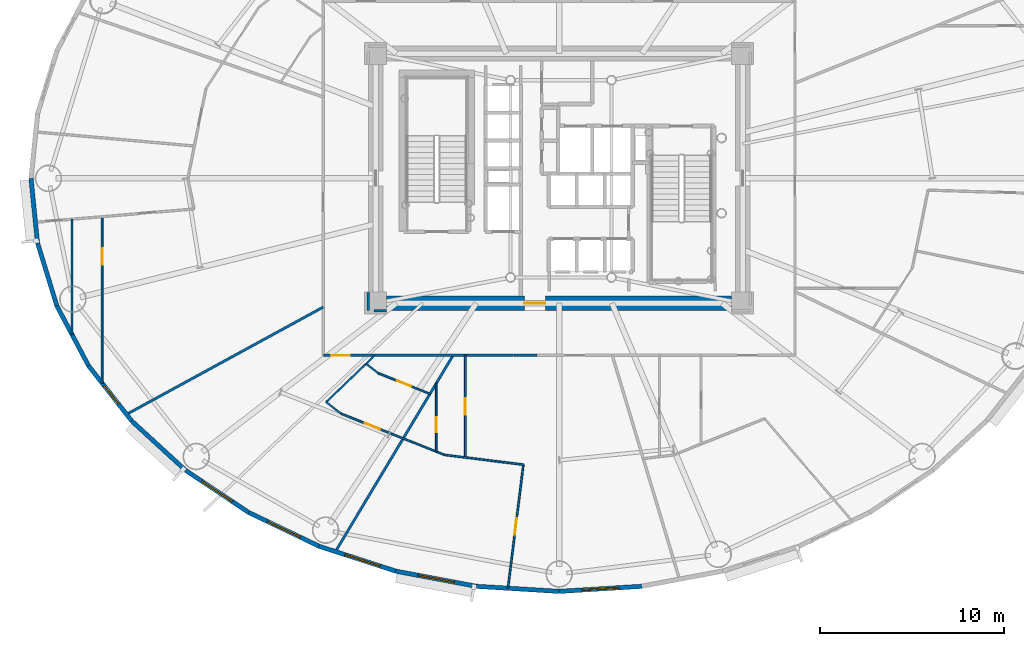
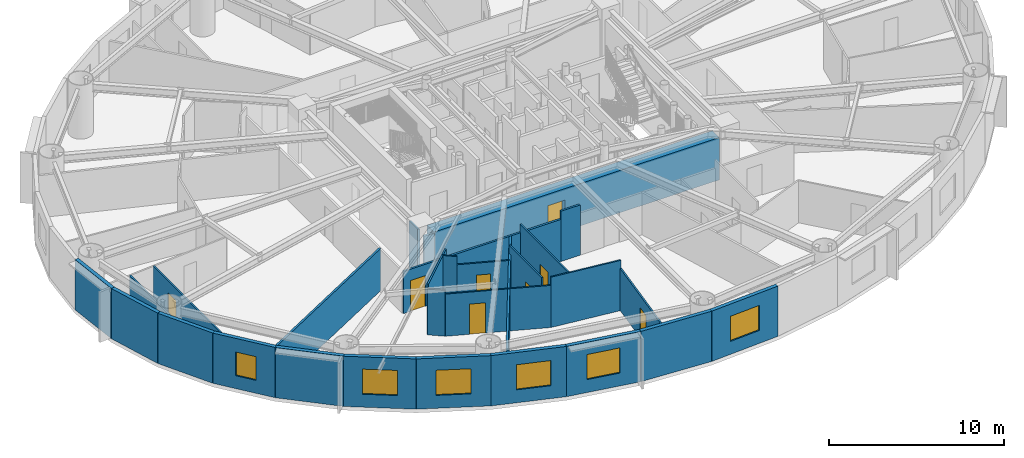
# One storey, part 9 of 21: 29 walls, 8 doors, 6 windows, 14 openings.
"""IFC4 building model written with IfcOpenShell, lengths in metres."""

from ifc_helpers import new_model, si_unit, direction, frame, frame_2d, origin, origin_2d, place, context, subcontext, project, spatial, rectangle, extrude, source, transform, mapped, material, layer, layer_set, type_object, element, fill, save


model = new_model("IFC4")

# Units and contexts
model_context = context("Model", 3, precision=1e-05, world=origin(), true_north=direction((0.0, 1.0)))
body_context = subcontext(model_context, "Body", "Model", "MODEL_VIEW")
ifc_project = project(units=[si_unit("LENGTHUNIT", "METRE"), si_unit("AREAUNIT", "SQUARE_METRE"), si_unit("VOLUMEUNIT", "CUBIC_METRE"), si_unit("PLANEANGLEUNIT", "RADIAN"), si_unit("MASSUNIT", "GRAM", prefix="KILO")], contexts=[model_context])

# Site, building, storey
site_placement = place(None, origin())
site = spatial("IfcSite", under=ifc_project, at=site_placement, CompositionType="ELEMENT")
building_placement = place(site_placement, origin())
building = spatial("IfcBuilding", under=site, at=building_placement, Name="Linh Dai School and Residence Tower", CompositionType="ELEMENT")
storey_placement = place(building_placement, frame((0.0, 0.0, 97.199951171875)))
storey = spatial("IfcBuildingStorey", under=building, at=storey_placement, Name="L22", CompositionType="ELEMENT", Elevation=97.199951171875)

# Walls
ifc_material_1 = material(Name="Precast Concrete B45 (C35/45)", Category="concrete")
ifc_layer_1 = layer(ifc_material_1, 0.239990234375)
ifc_layer_set_1 = layer_set([ifc_layer_1], Name="Precast Concrete B45 (C35/45)")
wall_type_1 = type_object("IfcWallType", Name="EW-TC-240", PredefinedType="SOLIDWALL", material=ifc_layer_set_1)
wall_1_placement = place(storey_placement, frame((7.578369140625, 23.484619140625, 0.0), z_axis=(0.0, 0.0, 1.0), x_axis=(-0.099989468229, 0.994988495533, 0.0)))
element("IfcWall", 1, at=wall_1_placement, inside=storey, type_object=wall_type_1, Name="L22 Terracotta Exterior Wall 21", PredefinedType="SOLIDWALL", context=body_context, shape_type="SweptSolid", body=[
    extrude(rectangle(XDim=3.533203125, YDim=0.239990234375, at=frame_2d((1.7666015625, 0.0))), origin(), (0.0, 0.0, 1.0), 3.5),
])
wall_2_placement = place(storey_placement, frame((8.6298828125, 20.054931640625, 0.0), z_axis=(0.0, 0.0, 1.0), x_axis=(-0.293124431344, 0.956074300329, 0.0)))
element("IfcWall", 2, at=wall_2_placement, inside=storey, type_object=wall_type_1, Name="L22 Terracotta Exterior Wall 22", PredefinedType="SOLIDWALL", context=body_context, shape_type="SweptSolid", body=[
    extrude(rectangle(XDim=3.587158203125, YDim=0.239990234375, at=frame_2d((1.79345703125, 0.0))), origin(), (0.0, 0.0, 1.0), 3.5),
])
wall_3_placement = place(storey_placement, frame((10.354736328125, 16.79443359375, 0.0), z_axis=(0.0, 0.0, 1.0), x_axis=(-0.467614004126, 0.883932770716, 0.0)))
element("IfcWall", 3, at=wall_3_placement, inside=storey, type_object=wall_type_1, Name="L22 Terracotta Exterior Wall 23", PredefinedType="SOLIDWALL", context=body_context, shape_type="SweptSolid", body=[
    extrude(rectangle(XDim=3.688720703125, YDim=0.239990234375, at=frame_2d((1.84423828125, 0.0))), origin(), (0.0, 0.0, 1.0), 3.5),
])

# Wall, opening, window
wall_4_placement = place(storey_placement, frame((12.7109375, 13.783447265625, 0.0), z_axis=(0.0, 0.0, 1.0), x_axis=(-0.616272103517, 0.787533297345, 0.0)))
wall_4 = element("IfcWall", 4, at=wall_4_placement, inside=storey, type_object=wall_type_1, Name="L22 Terracotta Exterior Wall 24", PredefinedType="SOLIDWALL", context=body_context, shape_type="SweptSolid", body=[
    extrude(rectangle(XDim=3.8232421875, YDim=0.239990234375, at=frame_2d((1.91162109375, 0.0))), origin(), (0.0, 0.0, 1.0), 3.5),
])
opening_1_placement = place(wall_4_placement, frame((1.168212890625, 0.0, 0.89990234375)))
opening_1 = element("IfcOpeningElement", 5, at=opening_1_placement, cuts=wall_4, Name="Opening W3", PredefinedType="OPENING", context=body_context, shape_type="SweptSolid", body=[
    extrude(rectangle(XDim=1.25, YDim=1.64990234375, at=origin_2d()), frame((0.625, 0.1298828125, 0.824951171875), z_axis=(0.0, -1.0, 0.0), x_axis=(1.0, 0.0, 0.0)), (0.0, 0.0, 1.0), 0.260009765625),
])
ifc_material_2 = material(Name="Double Low-E Insulated Glazing", Category="glass")
window_type_1 = type_object("IfcWindowType", Name="WN-RES-1250x1650", PartitioningType="SINGLE_PANEL", PredefinedType="WINDOW", material=ifc_material_2)
shared_shape_1 = source(origin(), body_context, "Body", "SweptSolid", [
    extrude(rectangle(XDim=1.25, YDim=1.64990234375, at=origin_2d()), frame((0.625, 0.030029296875, 0.824951171875), z_axis=(0.0, -1.0, 0.0), x_axis=(1.0, 0.0, 0.0)), (0.0, 0.0, 1.0), 0.06005859375),
])
window_1_placement = place(opening_1_placement, origin())
window_1 = element("IfcWindow", 6, at=window_1_placement, inside=storey, type_object=window_type_1, Name="L22 Exterior Window 24.1", OverallHeight=1.64990234375, OverallWidth=1.25, PartitioningType="SINGLE_PANEL", PredefinedType="WINDOW", context=body_context, shape_type="MappedRepresentation", body=[
    mapped(shared_shape_1, transform((0.0, 0.0, 0.0), x_axis=(1.0, 0.0, 0.0), y_axis=(0.0, 1.0, 0.0), z_axis=(0.0, 0.0, 1.0), scale=1.0)),
])
fill(opening_1, window_1)

# Wall
wall_5_placement = place(storey_placement, frame((15.6416015625, 11.0966796875, 0.0), z_axis=(0.0, 0.0, 1.0), x_axis=(-0.737113356241, 0.675769117414, 0.0)))
element("IfcWall", 7, at=wall_5_placement, inside=storey, type_object=wall_type_1, Name="L22 Terracotta Exterior Wall 25", PredefinedType="SOLIDWALL", context=body_context, shape_type="SweptSolid", body=[
    extrude(rectangle(XDim=3.975830078125, YDim=0.239990234375, at=frame_2d((1.98779296875, 0.0))), origin(), (0.0, 0.0, 1.0), 3.5),
])

# Wall, opening, window
wall_6_placement = place(storey_placement, frame((19.07470703125, 8.800537109375, 0.0), z_axis=(0.0, 0.0, 1.0), x_axis=(-0.831221811447, 0.555940914284, 0.0)))
wall_6 = element("IfcWall", 8, at=wall_6_placement, inside=storey, type_object=wall_type_1, Name="L22 Terracotta Exterior Wall 26", PredefinedType="SOLIDWALL", context=body_context, shape_type="SweptSolid", body=[
    extrude(rectangle(XDim=4.130126953125, YDim=0.239990234375, at=frame_2d((2.06494140625, 0.0))), origin(), (0.0, 0.0, 1.0), 3.5),
])
opening_2_placement = place(wall_6_placement, frame((1.06494140625, 0.0, 0.89990234375)))
opening_2 = element("IfcOpeningElement", 9, at=opening_2_placement, cuts=wall_6, Name="Opening W1", PredefinedType="OPENING", context=body_context, shape_type="SweptSolid", body=[
    extrude(rectangle(XDim=2.0, YDim=1.75, at=origin_2d()), frame((1.0, 0.1298828125, 0.875), z_axis=(0.0, -1.0, 0.0), x_axis=(1.0, 0.0, 0.0)), (0.0, 0.0, 1.0), 0.260009765625),
])
window_type_2 = type_object("IfcWindowType", Name="WN-RES-2000x1750", PartitioningType="DOUBLE_PANEL_VERTICAL", PredefinedType="WINDOW", material=ifc_material_2)
shared_shape_2 = source(origin(), body_context, "Body", "SweptSolid", [
    extrude(rectangle(XDim=2.0, YDim=1.75, at=origin_2d()), frame((1.0, 0.030029296875, 0.875), z_axis=(0.0, -1.0, 0.0), x_axis=(1.0, 0.0, 0.0)), (0.0, 0.0, 1.0), 0.06005859375),
])
window_2_placement = place(opening_2_placement, origin())
window_2 = element("IfcWindow", 10, at=window_2_placement, inside=storey, type_object=window_type_2, Name="L22 Exterior Window 26.1", OverallHeight=1.75, OverallWidth=2.0, PartitioningType="DOUBLE_PANEL_VERTICAL", PredefinedType="WINDOW", context=body_context, shape_type="MappedRepresentation", body=[
    mapped(shared_shape_2, transform((0.0, 0.0, 0.0), x_axis=(1.0, 0.0, 0.0), y_axis=(0.0, 1.0, 0.0), z_axis=(0.0, 0.0, 1.0), scale=1.0)),
])
fill(opening_2, window_2)

wall_7_placement = place(storey_placement, frame((22.926025390625, 6.95263671875, 0.0), z_axis=(0.0, 0.0, 1.0), x_axis=(-0.901589935876, 0.432591709962, 0.0)))
wall_7 = element("IfcWall", 11, at=wall_7_placement, inside=storey, type_object=wall_type_1, Name="L22 Terracotta Exterior Wall 27", PredefinedType="SOLIDWALL", context=body_context, shape_type="SweptSolid", body=[
    extrude(rectangle(XDim=4.271728515625, YDim=0.239990234375, at=frame_2d((2.1357421875, 0.0))), origin(), (0.0, 0.0, 1.0), 3.5),
])
opening_3_placement = place(wall_7_placement, frame((1.1357421875, 0.0, 0.89990234375)))
opening_3 = element("IfcOpeningElement", 12, at=opening_3_placement, cuts=wall_7, Name="Opening W1", PredefinedType="OPENING", context=body_context, shape_type="SweptSolid", body=[
    extrude(rectangle(XDim=2.0, YDim=1.75, at=origin_2d()), frame((1.0, 0.1298828125, 0.875), z_axis=(0.0, -1.0, 0.0), x_axis=(1.0, 0.0, 0.0)), (0.0, 0.0, 1.0), 0.260009765625),
])
window_3_placement = place(opening_3_placement, origin())
window_3 = element("IfcWindow", 13, at=window_3_placement, inside=storey, type_object=window_type_2, Name="L22 Exterior Window 27.1", OverallHeight=1.75, OverallWidth=2.0, PartitioningType="DOUBLE_PANEL_VERTICAL", PredefinedType="WINDOW", context=body_context, shape_type="MappedRepresentation", body=[
    mapped(shared_shape_2, transform((0.0, 0.0, 0.0), x_axis=(1.0, 0.0, 0.0), y_axis=(0.0, 1.0, 0.0), z_axis=(0.0, 0.0, 1.0), scale=1.0)),
])
fill(opening_3, window_3)

wall_8_placement = place(storey_placement, frame((27.100341796875, 5.5986328125, 0.0), z_axis=(0.0, 0.0, 1.0), x_axis=(-0.951211346073, 0.308540070495, 0.0)))
wall_8 = element("IfcWall", 14, at=wall_8_placement, inside=storey, type_object=wall_type_1, Name="L22 Terracotta Exterior Wall 28", PredefinedType="SOLIDWALL", context=body_context, shape_type="SweptSolid", body=[
    extrude(rectangle(XDim=4.388427734375, YDim=0.239990234375, at=frame_2d((2.1943359375, 0.0))), origin(), (0.0, 0.0, 1.0), 3.5),
])
opening_4_placement = place(wall_8_placement, frame((0.908935546875, 0.0, 0.89990234375)))
opening_4 = element("IfcOpeningElement", 15, at=opening_4_placement, cuts=wall_8, Name="Opening W1", PredefinedType="OPENING", context=body_context, shape_type="SweptSolid", body=[
    extrude(rectangle(XDim=2.0, YDim=1.75, at=origin_2d()), frame((1.0, 0.1298828125, 0.875), z_axis=(0.0, -1.0, 0.0), x_axis=(1.0, 0.0, 0.0)), (0.0, 0.0, 1.0), 0.260009765625),
])
window_4_placement = place(opening_4_placement, origin())
window_4 = element("IfcWindow", 16, at=window_4_placement, inside=storey, type_object=window_type_2, Name="L22 Exterior Window 28.1", OverallHeight=1.75, OverallWidth=2.0, PartitioningType="DOUBLE_PANEL_VERTICAL", PredefinedType="WINDOW", context=body_context, shape_type="MappedRepresentation", body=[
    mapped(shared_shape_2, transform((0.0, 0.0, 0.0), x_axis=(1.0, 0.0, 0.0), y_axis=(0.0, 1.0, 0.0), z_axis=(0.0, 0.0, 1.0), scale=1.0)),
])
fill(opening_4, window_4)

wall_9_placement = place(storey_placement, frame((31.494384765625, 4.772705078125, 0.0), z_axis=(0.0, 0.0, 1.0), x_axis=(-0.982789252177, 0.184730305596, 0.0)))
wall_9 = element("IfcWall", 17, at=wall_9_placement, inside=storey, type_object=wall_type_1, Name="L22 Terracotta Exterior Wall 29", PredefinedType="SOLIDWALL", context=body_context, shape_type="SweptSolid", body=[
    extrude(rectangle(XDim=4.470947265625, YDim=0.239990234375, at=frame_2d((2.2353515625, 0.0))), origin(), (0.0, 0.0, 1.0), 3.5),
])
opening_5_placement = place(wall_9_placement, frame((1.235595703125, 0.0, 0.89990234375)))
opening_5 = element("IfcOpeningElement", 18, at=opening_5_placement, cuts=wall_9, Name="Opening W1", PredefinedType="OPENING", context=body_context, shape_type="SweptSolid", body=[
    extrude(rectangle(XDim=2.0, YDim=1.75, at=origin_2d()), frame((1.0, 0.1298828125, 0.875), z_axis=(0.0, -1.0, 0.0), x_axis=(1.0, 0.0, 0.0)), (0.0, 0.0, 1.0), 0.260009765625),
])
window_5_placement = place(opening_5_placement, origin())
window_5 = element("IfcWindow", 19, at=window_5_placement, inside=storey, type_object=window_type_2, Name="L22 Exterior Window 29.1", OverallHeight=1.75, OverallWidth=2.0, PartitioningType="DOUBLE_PANEL_VERTICAL", PredefinedType="WINDOW", context=body_context, shape_type="MappedRepresentation", body=[
    mapped(shared_shape_2, transform((0.0, 0.0, 0.0), x_axis=(1.0, 0.0, 0.0), y_axis=(0.0, 1.0, 0.0), z_axis=(0.0, 0.0, 1.0), scale=1.0)),
])
fill(opening_5, window_5)

# Wall
wall_10_placement = place(storey_placement, frame((36.0, 4.4951171875, 0.0), z_axis=(0.0, 0.0, 1.0), x_axis=(-0.998107531589, 0.061492726276, 0.0)))
element("IfcWall", 20, at=wall_10_placement, inside=storey, type_object=wall_type_1, Name="L22 Terracotta Exterior Wall 30", PredefinedType="SOLIDWALL", context=body_context, shape_type="SweptSolid", body=[
    extrude(rectangle(XDim=4.51416015625, YDim=0.239990234375, at=frame_2d((2.257080078125, 0.0))), origin(), (0.0, 0.0, 1.0), 3.5),
])

# Wall, opening, window
wall_11_placement = place(storey_placement, frame((40.505615234375, 4.772705078125, 0.0), z_axis=(0.0, 0.0, 1.0), x_axis=(-0.998107531589, -0.061492726276, 0.0)))
wall_11 = element("IfcWall", 21, at=wall_11_placement, inside=storey, type_object=wall_type_1, Name="L22 Terracotta Exterior Wall 31", PredefinedType="SOLIDWALL", context=body_context, shape_type="SweptSolid", body=[
    extrude(rectangle(XDim=4.51416015625, YDim=0.239990234375, at=frame_2d((2.257080078125, 0.0))), origin(), (0.0, 0.0, 1.0), 3.5),
])
opening_6_placement = place(wall_11_placement, frame((1.257080078125, 0.0, 0.89990234375)))
opening_6 = element("IfcOpeningElement", 22, at=opening_6_placement, cuts=wall_11, Name="Opening W1", PredefinedType="OPENING", context=body_context, shape_type="SweptSolid", body=[
    extrude(rectangle(XDim=2.0, YDim=1.75, at=origin_2d()), frame((1.0, 0.1298828125, 0.875), z_axis=(0.0, -1.0, 0.0), x_axis=(1.0, 0.0, 0.0)), (0.0, 0.0, 1.0), 0.260009765625),
])
window_6_placement = place(opening_6_placement, origin())
window_6 = element("IfcWindow", 23, at=window_6_placement, inside=storey, type_object=window_type_2, Name="L22 Exterior Window 31.1", OverallHeight=1.75, OverallWidth=2.0, PartitioningType="DOUBLE_PANEL_VERTICAL", PredefinedType="WINDOW", context=body_context, shape_type="MappedRepresentation", body=[
    mapped(shared_shape_2, transform((0.0, 0.0, 0.0), x_axis=(1.0, 0.0, 0.0), y_axis=(0.0, 1.0, 0.0), z_axis=(0.0, 0.0, 1.0), scale=1.0)),
])
fill(opening_6, window_6)

# Wall
ifc_material_3 = material(Name="Autoclaved Aerated Concrete Blockwork", Category="masonry")
ifc_layer_2 = layer(ifc_material_3, 0.135009765625)
ifc_layer_set_2 = layer_set([ifc_layer_2], Name="Autoclaved Aerated Concrete Blockwork")
wall_type_2 = type_object("IfcWallType", Name="IW-CORR-135-EI90", PredefinedType="PARTITIONING", material=ifc_layer_set_2)
wall_12_placement = place(storey_placement, frame((12.427001953125, 14.13818359375, 0.0), z_axis=(0.0, 0.0, 1.0), x_axis=(0.877835987922, 0.47896135367, 0.0)))
element("IfcWall", 24, at=wall_12_placement, inside=storey, type_object=wall_type_2, Name="L22 Interior Partition Wall 006", PredefinedType="PARTITIONING", context=body_context, shape_type="SweptSolid", body=[
    extrude(rectangle(XDim=12.215087890625, YDim=0.135009765625, at=frame_2d((6.107421875, 0.0))), origin(), (0.0, 0.0, 1.0), 2.93505859375),
])

# Wall, opening, door
wall_13_placement = place(storey_placement, frame((23.14990234375, 17.35009765625, 0.0), z_axis=(0.0, 0.0, 1.0), x_axis=(1.0, 0.0, 0.0)))
wall_13 = element("IfcWall", 25, at=wall_13_placement, inside=storey, type_object=wall_type_2, Name="L22 Interior Partition Wall 017", PredefinedType="PARTITIONING", context=body_context, shape_type="SweptSolid", body=[
    extrude(rectangle(XDim=10.373046875, YDim=0.135009765625, at=frame_2d((5.1865234375, 0.0))), origin(), (0.0, 0.0, 1.0), 2.93505859375),
])
opening_7_placement = place(wall_13_placement, frame((0.440185546875, 0.0, 0.0)))
opening_7 = element("IfcOpeningElement", 26, at=opening_7_placement, cuts=wall_13, Name="Opening D03", PredefinedType="OPENING", context=body_context, shape_type="SweptSolid", body=[
    extrude(rectangle(XDim=1.0, YDim=2.14990234375, at=origin_2d()), frame((0.5, 0.07763671875, 1.074951171875), z_axis=(0.0, -1.0, 0.0), x_axis=(1.0, 0.0, 0.0)), (0.0, 0.0, 1.0), 0.155029296875),
])
ifc_material_4 = material(Name="Fire-Rated Solid Timber Entrance Door", Category="wood")
door_type_1 = type_object("IfcDoorType", Name="DR-FLAT-1000x2150-FD60S", OperationType="NOTDEFINED", PredefinedType="DOOR", material=ifc_material_4)
shared_shape_3 = source(origin(), body_context, "Body", "SweptSolid", [
    extrude(rectangle(XDim=1.0, YDim=2.14990234375, at=origin_2d()), frame((0.5, 0.02490234375, 1.074951171875), z_axis=(0.0, -1.0, 0.0), x_axis=(1.0, 0.0, 0.0)), (0.0, 0.0, 1.0), 0.050048828125),
])
door_1_placement = place(opening_7_placement, origin())
door_1 = element("IfcDoor", 27, at=door_1_placement, inside=storey, type_object=door_type_1, Name="L22 U2206 Apartment Entrance Door", OperationType="SINGLE_SWING_LEFT", OverallHeight=2.14990234375, OverallWidth=1.0, PredefinedType="DOOR", context=body_context, shape_type="MappedRepresentation", body=[
    mapped(shared_shape_3, transform((0.0, 0.0, 0.0), x_axis=(1.0, 0.0, 0.0), y_axis=(0.0, 1.0, 0.0), z_axis=(0.0, 0.0, 1.0), scale=1.0)),
])
fill(opening_7, door_1)

# Walls
wall_14_placement = place(storey_placement, frame((23.8076171875, 6.661376953125, 0.0), z_axis=(0.0, 0.0, 1.0), x_axis=(0.51416439954, 0.857691652195, 0.0)))
element("IfcWall", 28, at=wall_14_placement, inside=storey, type_object=wall_type_2, Name="L22 Interior Partition Wall 021", PredefinedType="PARTITIONING", context=body_context, shape_type="SweptSolid", body=[
    extrude(rectangle(XDim=12.4619140625, YDim=0.135009765625, at=frame_2d((6.23095703125, 0.0))), origin(), (0.0, 0.0, 1.0), 2.93505859375),
])
wall_15_placement = place(storey_placement, frame((34.784912109375, 17.35009765625, 0.0), z_axis=(0.0, 0.0, 1.0), x_axis=(-1.0, 0.0, 0.0)))
element("IfcWall", 29, at=wall_15_placement, inside=storey, type_object=wall_type_2, Name="L22 Interior Partition Wall 108", PredefinedType="PARTITIONING", context=body_context, shape_type="SweptSolid", body=[
    extrude(rectangle(XDim=1.251953125, YDim=0.135009765625, at=frame_2d((0.6259765625, 0.0))), origin(), (0.0, 0.0, 1.0), 3.5),
])
wall_16_placement = place(storey_placement, frame((25.60009765625, 20.7900390625, 0.0), z_axis=(0.0, 0.0, 1.0), x_axis=(0.0, -1.0, 0.0)))
element("IfcWall", 30, at=wall_16_placement, inside=storey, type_object=wall_type_2, Name="L22 Interior Partition Wall 112", PredefinedType="PARTITIONING", context=body_context, shape_type="SweptSolid", body=[
    extrude(rectangle(XDim=0.989990234375, YDim=0.135009765625, at=frame_2d((0.4951171875, 0.0))), origin(), (0.0, 0.0, 1.0), 3.5),
])
wall_17_placement = place(storey_placement, frame((25.907470703125, 19.800048828125, 0.0), z_axis=(0.0, 0.0, 1.0), x_axis=(1.0, 0.0, 0.0)))
element("IfcWall", 31, at=wall_17_placement, inside=storey, type_object=wall_type_2, Name="L22 Interior Partition Wall 113", PredefinedType="PARTITIONING", context=body_context, shape_type="SweptSolid", body=[
    extrude(rectangle(XDim=0.6826171875, YDim=0.135009765625, at=frame_2d((0.34130859375, 0.0))), origin(), (0.0, 0.0, 1.0), 2.93505859375),
])
ifc_material_5 = material(Name="Gypsum Plasterboard Acoustic Stud Partition", Category="masonry")
ifc_layer_3 = layer(ifc_material_5, 0.10009765625)
ifc_layer_set_3 = layer_set([ifc_layer_3], Name="Gypsum Plasterboard Acoustic Stud Partition")
wall_type_3 = type_object("IfcWallType", Name="IW-UNIT-100", PredefinedType="PARTITIONING", material=ifc_layer_set_3)
wall_18_placement = place(storey_placement, frame((9.456787109375, 18.481201171875, 0.0), z_axis=(0.0, 0.0, 1.0), x_axis=(0.0, 1.0, 0.0)))
element("IfcWall", 32, at=wall_18_placement, inside=storey, type_object=wall_type_3, Name="L22 Interior Partition Wall 003", PredefinedType="PARTITIONING", context=body_context, shape_type="SweptSolid", body=[
    extrude(rectangle(XDim=6.292724609375, YDim=0.10009765625, at=frame_2d((3.146484375, 0.0))), origin(), (0.0, 0.0, 1.0), 2.93505859375),
])

# Wall, opening, door
wall_19_placement = place(storey_placement, frame((11.099853515625, 15.833984375, 0.0), z_axis=(0.0, 0.0, 1.0), x_axis=(0.0, 1.0, 0.0)))
wall_19 = element("IfcWall", 33, at=wall_19_placement, inside=storey, type_object=wall_type_3, Name="L22 Interior Partition Wall 005", PredefinedType="PARTITIONING", context=body_context, shape_type="SweptSolid", body=[
    extrude(rectangle(XDim=9.07763671875, YDim=0.10009765625, at=frame_2d((4.538818359375, 0.0))), origin(), (0.0, 0.0, 1.0), 2.93505859375),
])
opening_8_placement = place(wall_19_placement, frame((6.47021484375, 0.0, 0.0)))
opening_8 = element("IfcOpeningElement", 34, at=opening_8_placement, cuts=wall_19, Name="Opening D05", PredefinedType="OPENING", context=body_context, shape_type="SweptSolid", body=[
    extrude(rectangle(XDim=0.89990234375, YDim=2.10009765625, at=origin_2d()), frame((0.449951171875, 0.06005859375, 1.050048828125), z_axis=(0.0, -1.0, 0.0), x_axis=(1.0, 0.0, 0.0)), (0.0, 0.0, 1.0), 0.1201171875),
])
ifc_material_6 = material(Name="Engineered Timber Internal Door", Category="wood")
door_type_2 = type_object("IfcDoorType", Name="DR-INT-900x2100", OperationType="NOTDEFINED", PredefinedType="DOOR", material=ifc_material_6)
shared_shape_4 = source(origin(), body_context, "Body", "SweptSolid", [
    extrude(rectangle(XDim=0.89990234375, YDim=2.10009765625, at=origin_2d()), frame((0.449951171875, 0.02490234375, 1.050048828125), z_axis=(0.0, -1.0, 0.0), x_axis=(1.0, 0.0, 0.0)), (0.0, 0.0, 1.0), 0.050048828125),
])
door_2_placement = place(opening_8_placement, origin())
door_2 = element("IfcDoor", 35, at=door_2_placement, inside=storey, type_object=door_type_2, Name="L22 Apartment U2205 Kitchen Door", OperationType="SINGLE_SWING_RIGHT", OverallHeight=2.10009765625, OverallWidth=0.89990234375, PredefinedType="DOOR", context=body_context, shape_type="MappedRepresentation", body=[
    mapped(shared_shape_4, transform((0.0, 0.0, 0.0), x_axis=(1.0, 0.0, 0.0), y_axis=(0.0, 1.0, 0.0), z_axis=(0.0, 0.0, 1.0), scale=1.0)),
])
fill(opening_8, door_2)

# Walls
wall_20_placement = place(storey_placement, frame((23.307373046875, 14.81201171875, 0.0), z_axis=(0.0, 0.0, 1.0), x_axis=(0.787398737985, -0.616444018075, 0.0)))
element("IfcWall", 36, at=wall_20_placement, inside=storey, type_object=wall_type_3, Name="L22 Interior Partition Wall 019", PredefinedType="PARTITIONING", context=body_context, shape_type="SweptSolid", body=[
    extrude(rectangle(XDim=1.018310546875, YDim=0.10009765625, at=frame_2d((0.50927734375, 0.0))), origin(), (0.0, 0.0, 1.0), 3.18505859375),
])
wall_21_placement = place(storey_placement, frame((23.307373046875, 14.81201171875, 0.0), z_axis=(0.0, 0.0, 1.0), x_axis=(0.721286127108, 0.692637223113, 0.0)))
element("IfcWall", 37, at=wall_21_placement, inside=storey, type_object=wall_type_3, Name="L22 Interior Partition Wall 020", PredefinedType="PARTITIONING", context=body_context, shape_type="SweptSolid", body=[
    extrude(rectangle(XDim=3.664306640625, YDim=0.10009765625, at=frame_2d((1.83203125, 0.0))), origin(), (0.0, 0.0, 1.0), 3.5),
])

# Wall, opening, door
wall_22_placement = place(storey_placement, frame((24.109130859375, 14.184326171875, 0.0), z_axis=(0.0, 0.0, 1.0), x_axis=(0.9288090756, -0.370558633798, 0.0)))
wall_22 = element("IfcWall", 38, at=wall_22_placement, inside=storey, type_object=wall_type_3, Name="L22 Interior Partition Wall 022", PredefinedType="PARTITIONING", context=body_context, shape_type="SweptSolid", body=[
    extrude(rectangle(XDim=6.072021484375, YDim=0.10009765625, at=frame_2d((3.0361328125, 0.0))), origin(), (0.0, 0.0, 1.0), 2.93505859375),
])
opening_9_placement = place(wall_22_placement, frame((1.398193359375, 0.0, 0.0)))
opening_9 = element("IfcOpeningElement", 39, at=opening_9_placement, cuts=wall_22, Name="Opening D05", PredefinedType="OPENING", context=body_context, shape_type="SweptSolid", body=[
    extrude(rectangle(XDim=0.89990234375, YDim=2.10009765625, at=origin_2d()), frame((0.449951171875, 0.06005859375, 1.050048828125), z_axis=(0.0, -1.0, 0.0), x_axis=(1.0, 0.0, 0.0)), (0.0, 0.0, 1.0), 0.1201171875),
])
door_3_placement = place(opening_9_placement, origin())
door_3 = element("IfcDoor", 40, at=door_3_placement, inside=storey, type_object=door_type_2, Name="L22 Apartment U2206 Kitchen Door", OperationType="SINGLE_SWING_RIGHT", OverallHeight=2.10009765625, OverallWidth=0.89990234375, PredefinedType="DOOR", context=body_context, shape_type="MappedRepresentation", body=[
    mapped(shared_shape_4, transform((0.0, 0.0, 0.0), x_axis=(1.0, 0.0, 0.0), y_axis=(0.0, 1.0, 0.0), z_axis=(0.0, 0.0, 1.0), scale=1.0)),
])
fill(opening_9, door_3)

# Wall
wall_23_placement = place(storey_placement, frame((25.4833984375, 16.9013671875, 0.0), z_axis=(0.0, 0.0, 1.0), x_axis=(0.787321722918, -0.616542378609, 0.0)))
element("IfcWall", 41, at=wall_23_placement, inside=storey, type_object=wall_type_3, Name="L22 Interior Partition Wall 024", PredefinedType="PARTITIONING", context=body_context, shape_type="SweptSolid", body=[
    extrude(rectangle(XDim=0.843505859375, YDim=0.10009765625, at=frame_2d((0.421875, 0.0))), origin(), (0.0, 0.0, 1.0), 3.5),
])

# Wall, opening, door
wall_24_placement = place(storey_placement, frame((26.1474609375, 16.38134765625, 0.0), z_axis=(0.0, 0.0, 1.0), x_axis=(0.928793125476, -0.370598610451, 0.0)))
wall_24 = element("IfcWall", 42, at=wall_24_placement, inside=storey, type_object=wall_type_3, Name="L22 Interior Partition Wall 025", PredefinedType="PARTITIONING", context=body_context, shape_type="SweptSolid", body=[
    extrude(rectangle(XDim=3.02978515625, YDim=0.10009765625, at=frame_2d((1.514892578125, 0.0))), origin(), (0.0, 0.0, 1.0), 2.93505859375),
])
opening_10_placement = place(wall_24_placement, frame((1.104736328125, 0.0, 0.0)))
opening_10 = element("IfcOpeningElement", 43, at=opening_10_placement, cuts=wall_24, Name="Opening D06", PredefinedType="OPENING", context=body_context, shape_type="SweptSolid", body=[
    extrude(rectangle(XDim=0.820068359375, YDim=2.10009765625, at=origin_2d()), frame((0.41015625, 0.06005859375, 1.050048828125), z_axis=(0.0, -1.0, 0.0), x_axis=(1.0, 0.0, 0.0)), (0.0, 0.0, 1.0), 0.1201171875),
])
ifc_material_7 = material(Name="Moisture-Resistant Timber Bathroom Door", Category="wood")
door_type_3 = type_object("IfcDoorType", Name="DR-WET-820x2100", OperationType="NOTDEFINED", PredefinedType="DOOR", material=ifc_material_7)
shared_shape_5 = source(origin(), body_context, "Body", "SweptSolid", [
    extrude(rectangle(XDim=0.820068359375, YDim=2.10009765625, at=origin_2d()), frame((0.41015625, 0.02490234375, 1.050048828125), z_axis=(0.0, -1.0, 0.0), x_axis=(1.0, 0.0, 0.0)), (0.0, 0.0, 1.0), 0.050048828125),
])
door_4_placement = place(opening_10_placement, origin())
door_4 = element("IfcDoor", 44, at=door_4_placement, inside=storey, type_object=door_type_3, Name="L22 Apartment U2206 Bathroom Door", OperationType="SINGLE_SWING_LEFT", OverallHeight=2.10009765625, OverallWidth=0.820068359375, PredefinedType="DOOR", context=body_context, shape_type="MappedRepresentation", body=[
    mapped(shared_shape_5, transform((0.0, 0.0, 0.0), x_axis=(1.0, 0.0, 0.0), y_axis=(0.0, 1.0, 0.0), z_axis=(0.0, 0.0, 1.0), scale=1.0)),
])
fill(opening_10, door_4)

wall_25_placement = place(storey_placement, frame((29.306884765625, 12.110595703125, 0.0), z_axis=(0.0, 0.0, 1.0), x_axis=(0.0, 1.0, 0.0)))
wall_25 = element("IfcWall", 45, at=wall_25_placement, inside=storey, type_object=wall_type_3, Name="L22 Interior Partition Wall 027", PredefinedType="PARTITIONING", context=body_context, shape_type="SweptSolid", body=[
    extrude(rectangle(XDim=3.724365234375, YDim=0.10009765625, at=frame_2d((1.8623046875, 0.0))), origin(), (0.0, 0.0, 1.0), 3.5),
])
opening_11_placement = place(wall_25_placement, frame((1.052490234375, 0.0, 0.0)))
opening_11 = element("IfcOpeningElement", 46, at=opening_11_placement, cuts=wall_25, Name="Opening D06", PredefinedType="OPENING", context=body_context, shape_type="SweptSolid", body=[
    extrude(rectangle(XDim=0.820068359375, YDim=2.10009765625, at=origin_2d()), frame((0.41015625, 0.06005859375, 1.050048828125), z_axis=(0.0, -1.0, 0.0), x_axis=(1.0, 0.0, 0.0)), (0.0, 0.0, 1.0), 0.1201171875),
])
door_5_placement = place(opening_11_placement, origin())
door_5 = element("IfcDoor", 47, at=door_5_placement, inside=storey, type_object=door_type_3, Name="L22 Apartment U2207 Bathroom 1 Door", OperationType="SINGLE_SWING_LEFT", OverallHeight=2.10009765625, OverallWidth=0.820068359375, PredefinedType="DOOR", context=body_context, shape_type="MappedRepresentation", body=[
    mapped(shared_shape_5, transform((0.0, 0.0, 0.0), x_axis=(1.0, 0.0, 0.0), y_axis=(0.0, 1.0, 0.0), z_axis=(0.0, 0.0, 1.0), scale=1.0)),
])
fill(opening_11, door_5)

# Wall
wall_26_placement = place(storey_placement, frame((29.74853515625, 11.934326171875, 0.0), z_axis=(0.0, 0.0, 1.0), x_axis=(0.992398657051, -0.123064639455, 0.0)))
element("IfcWall", 48, at=wall_26_placement, inside=storey, type_object=wall_type_3, Name="L22 Interior Partition Wall 029", PredefinedType="PARTITIONING", context=body_context, shape_type="SweptSolid", body=[
    extrude(rectangle(XDim=4.336669921875, YDim=0.10009765625, at=frame_2d((2.16845703125, 0.0))), origin(), (0.0, 0.0, 1.0), 3.5),
])

# Wall, opening, door
wall_27_placement = place(storey_placement, frame((30.892333984375, 11.79248046875, 0.0), z_axis=(0.0, 0.0, 1.0), x_axis=(0.0, 1.0, 0.0)))
wall_27 = element("IfcWall", 49, at=wall_27_placement, inside=storey, type_object=wall_type_3, Name="L22 Interior Partition Wall 030", PredefinedType="PARTITIONING", context=body_context, shape_type="SweptSolid", body=[
    extrude(rectangle(XDim=5.5576171875, YDim=0.10009765625, at=frame_2d((2.77880859375, 0.0))), origin(), (0.0, 0.0, 1.0), 3.5),
])
opening_12_placement = place(wall_27_placement, frame((2.328857421875, 0.0, 0.0)))
opening_12 = element("IfcOpeningElement", 50, at=opening_12_placement, cuts=wall_27, Name="Opening D05", PredefinedType="OPENING", context=body_context, shape_type="SweptSolid", body=[
    extrude(rectangle(XDim=0.89990234375, YDim=2.10009765625, at=origin_2d()), frame((0.449951171875, 0.06005859375, 1.050048828125), z_axis=(0.0, -1.0, 0.0), x_axis=(1.0, 0.0, 0.0)), (0.0, 0.0, 1.0), 0.1201171875),
])
door_6_placement = place(opening_12_placement, origin())
door_6 = element("IfcDoor", 51, at=door_6_placement, inside=storey, type_object=door_type_2, Name="L22 Apartment U2207 Kitchen Door", OperationType="SINGLE_SWING_RIGHT", OverallHeight=2.10009765625, OverallWidth=0.89990234375, PredefinedType="DOOR", context=body_context, shape_type="MappedRepresentation", body=[
    mapped(shared_shape_4, transform((0.0, 0.0, 0.0), x_axis=(1.0, 0.0, 0.0), y_axis=(0.0, 1.0, 0.0), z_axis=(0.0, 0.0, 1.0), scale=1.0)),
])
fill(opening_12, door_6)

wall_28_placement = place(storey_placement, frame((33.210693359375, 4.661865234375, 0.0), z_axis=(0.0, 0.0, 1.0), x_axis=(0.123884295517, 0.992296670016, 0.0)))
wall_28 = element("IfcWall", 52, at=wall_28_placement, inside=storey, type_object=wall_type_3, Name="L22 Interior Partition Wall 039", PredefinedType="PARTITIONING", context=body_context, shape_type="SweptSolid", body=[
    extrude(rectangle(XDim=6.791015625, YDim=0.10009765625, at=frame_2d((3.3955078125, 0.0))), origin(), (0.0, 0.0, 1.0), 2.93505859375),
])
opening_13_placement = place(wall_28_placement, frame((2.945556640625, 0.0, 0.0)))
opening_13 = element("IfcOpeningElement", 53, at=opening_13_placement, cuts=wall_28, Name="Opening D05", PredefinedType="OPENING", context=body_context, shape_type="SweptSolid", body=[
    extrude(rectangle(XDim=0.89990234375, YDim=2.10009765625, at=origin_2d()), frame((0.449951171875, 0.06005859375, 1.050048828125), z_axis=(0.0, -1.0, 0.0), x_axis=(1.0, 0.0, 0.0)), (0.0, 0.0, 1.0), 0.1201171875),
])
door_7_placement = place(opening_13_placement, origin())
door_7 = element("IfcDoor", 54, at=door_7_placement, inside=storey, type_object=door_type_2, Name="L22 Apartment U2207 Principal Bedroom 1 Door", OperationType="SINGLE_SWING_LEFT", OverallHeight=2.10009765625, OverallWidth=0.89990234375, PredefinedType="DOOR", context=body_context, shape_type="MappedRepresentation", body=[
    mapped(shared_shape_4, transform((0.0, 0.0, 0.0), x_axis=(1.0, 0.0, 0.0), y_axis=(0.0, 1.0, 0.0), z_axis=(0.0, 0.0, 1.0), scale=1.0)),
])
fill(opening_13, door_7)

ifc_material_8 = material(Name="Concrete B60 (C50/60)", Category="concrete")
ifc_layer_4 = layer(ifc_material_8, 0.800048828125)
ifc_layer_set_4 = layer_set([ifc_layer_4], Name="Concrete B60 (C50/60)")
wall_type_4 = type_object("IfcWallType", Name="WL-CORE800", PredefinedType="SHEAR", material=ifc_layer_set_4)
wall_29_placement = place(storey_placement, frame((45.39990234375, 20.199951171875, 0.0), z_axis=(0.0, 0.0, 1.0), x_axis=(-1.0, 0.0, 0.0)))
wall_29 = element("IfcWall", 55, at=wall_29_placement, inside=storey, type_object=wall_type_4, Name="L22 Central Core Shear Wall S", PredefinedType="SHEAR", context=body_context, shape_type="SweptSolid", body=[
    extrude(rectangle(XDim=18.7998046875, YDim=0.800048828125, at=frame_2d((9.39990234375, 0.0))), origin(), (0.0, 0.0, 1.0), 2.949951171875),
])
opening_14_placement = place(wall_29_placement, frame((10.14990234375, 0.0, 0.0)))
opening_14 = element("IfcOpeningElement", 56, at=opening_14_placement, cuts=wall_29, Name="Opening D02", PredefinedType="OPENING", context=body_context, shape_type="SweptSolid", body=[
    extrude(rectangle(XDim=1.14990234375, YDim=2.14990234375, at=origin_2d()), frame((0.574951171875, 0.41015625, 1.074951171875), z_axis=(0.0, -1.0, 0.0), x_axis=(1.0, 0.0, 0.0)), (0.0, 0.0, 1.0), 0.820068359375),
])
ifc_material_9 = material(Name="Fire-Rated Glazed Steel Lobby Door", Category="steel")
door_type_4 = type_object("IfcDoorType", Name="DR-LOBBY-1150x2150-FD90S", OperationType="NOTDEFINED", PredefinedType="DOOR", material=ifc_material_9)
shared_shape_6 = source(origin(), body_context, "Body", "SweptSolid", [
    extrude(rectangle(XDim=1.14990234375, YDim=2.14990234375, at=origin_2d()), frame((0.574951171875, 0.02490234375, 1.074951171875), z_axis=(0.0, -1.0, 0.0), x_axis=(1.0, 0.0, 0.0)), (0.0, 0.0, 1.0), 0.050048828125),
])
door_8_placement = place(opening_14_placement, origin())
door_8 = element("IfcDoor", 57, at=door_8_placement, inside=storey, type_object=door_type_4, Name="L22 Passenger Foyer Access Door", OperationType="SINGLE_SWING_RIGHT", OverallHeight=2.14990234375, OverallWidth=1.14990234375, PredefinedType="DOOR", context=body_context, shape_type="MappedRepresentation", body=[
    mapped(shared_shape_6, transform((0.0, 0.0, 0.0), x_axis=(1.0, 0.0, 0.0), y_axis=(0.0, 1.0, 0.0), z_axis=(0.0, 0.0, 1.0), scale=1.0)),
])
fill(opening_14, door_8)

save(model, "model.ifc")
